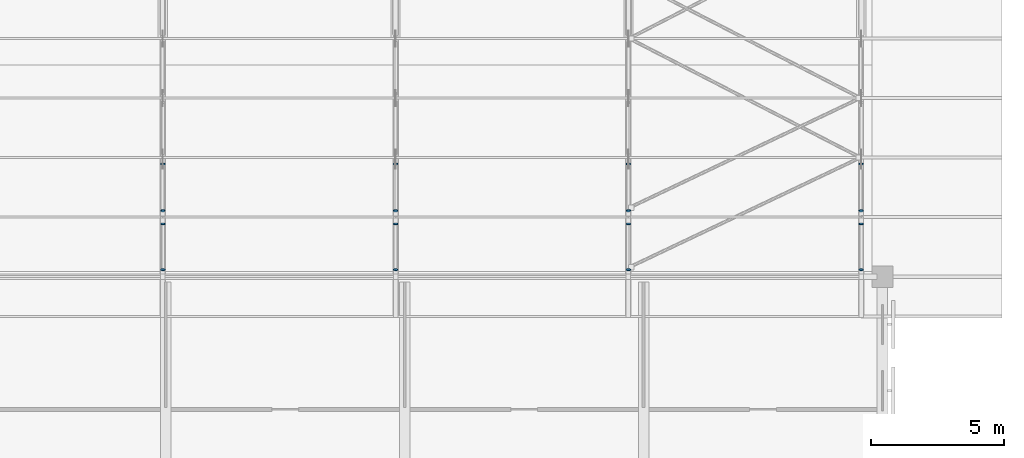
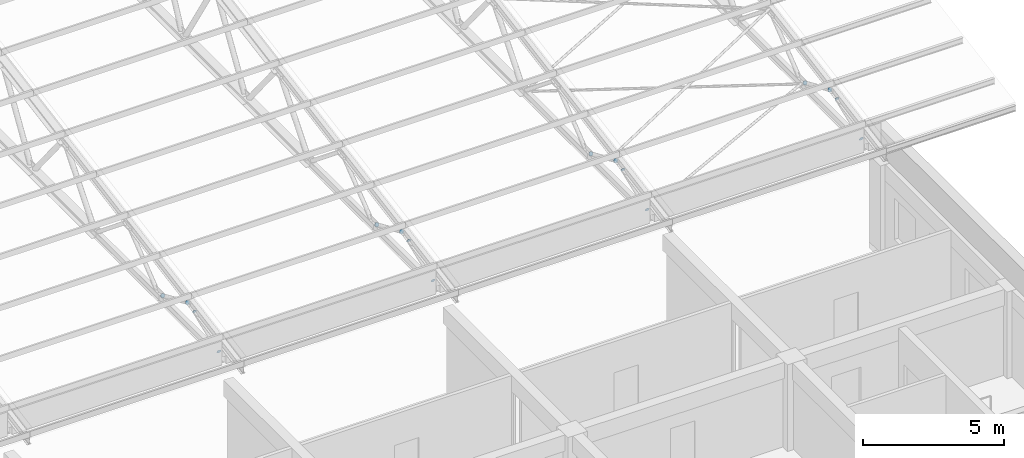
# One storey, part 103 of 185: 16 plates.
"""IFC4 building model written with IfcOpenShell, lengths in metres."""

from ifc_helpers import new_model, si_unit, direction, frame, origin, origin_2d, place, context, subcontext, project, spatial, circle, extrude, material, material_profile, profile_set, type_object, element, save


model = new_model("IFC4")

# Units and contexts
model_context = context("Model", 3, precision=1e-05, world=origin(), true_north=direction((0.0, 1.0)))
body_context = subcontext(model_context, "Body", "Model", "MODEL_VIEW")
ifc_project = project(units=[si_unit("LENGTHUNIT", "METRE"), si_unit("AREAUNIT", "SQUARE_METRE"), si_unit("VOLUMEUNIT", "CUBIC_METRE"), si_unit("PLANEANGLEUNIT", "RADIAN"), si_unit("MASSUNIT", "GRAM", prefix="KILO")], contexts=[model_context])

# Site, building, storey
site_placement = place(None, origin())
site = spatial("IfcSite", under=ifc_project, at=site_placement, CompositionType="ELEMENT")
building_placement = place(site_placement, origin())
building = spatial("IfcBuilding", under=site, at=building_placement, Name="Opaline Strait Convention Centre", CompositionType="ELEMENT")
storey_placement = place(building_placement, frame((0.0, 0.0, 6.0)))
storey = spatial("IfcBuildingStorey", under=building, at=storey_placement, Name="L01", CompositionType="ELEMENT", Elevation=6.0)

# Plates
ifc_material = material(Name="Steel Q355B", Category="steel")
ifc_material_profile = material_profile(ifc_material, circle(Radius=0.083984375, at=origin_2d()), Name="D168")
ifc_profile_set = profile_set([ifc_material_profile], Name="Steel Q355B")
plate_type = type_object("IfcPlateType", Name="Truss web end plate 168 x 12", PredefinedType="SHEET", material=ifc_profile_set)
for number, where, z_axis, x_axis, name in (
    (1, (323.8857421875, 27.2548828125, 4.678955078125), (0.0, 0.931242779706, 0.364399348581), (-1.0, 0.0, 0.0), "BWP1 web end plate line 5 member 1.1"),
    (2, (323.8857421875, 28.977783203125, 5.364501953125), (0.0, 0.931242779706, 0.364399348581), (-1.0, 0.0, 0.0), "BWP1 web end plate line 5 member 1.2"),
    (3, (323.8857421875, 31.25048828125, 4.678955078125), (0.0, -0.91381154862, 0.406138466053), (1.0, 0.0, 0.0), "BWP1 web end plate line 5 member 2.1"),
    (4, (323.8857421875, 29.49169921875, 5.450927734375), (0.0, -0.91381154862, 0.406138466053), (1.0, 0.0, 0.0), "BWP1 web end plate line 5 member 2.2"),
    (5, (332.656982421875, 27.2548828125, 4.678955078125), (0.0, 0.931242779706, 0.364399348581), (-1.0, 0.0, 0.0), "BWP1 web end plate line 6 member 1.1"),
    (6, (332.656982421875, 28.977783203125, 5.364501953125), (0.0, 0.931242779706, 0.364399348581), (-1.0, 0.0, 0.0), "BWP1 web end plate line 6 member 1.2"),
    (7, (332.656982421875, 31.25048828125, 4.678955078125), (0.0, -0.91381154862, 0.406138466053), (1.0, 0.0, 0.0), "BWP1 web end plate line 6 member 2.1"),
    (8, (332.656982421875, 29.49169921875, 5.450927734375), (0.0, -0.91381154862, 0.406138466053), (1.0, 0.0, 0.0), "BWP1 web end plate line 6 member 2.2"),
    (9, (341.4287109375, 27.2548828125, 4.678955078125), (0.0, 0.931242779706, 0.364399348581), (-1.0, 0.0, 0.0), "BWP1 web end plate line 7 member 1.1"),
    (10, (341.4287109375, 28.977783203125, 5.364501953125), (0.0, 0.931242779706, 0.364399348581), (-1.0, 0.0, 0.0), "BWP1 web end plate line 7 member 1.2"),
    (11, (341.4287109375, 31.25048828125, 4.678955078125), (0.0, -0.91381154862, 0.406138466053), (1.0, 0.0, 0.0), "BWP1 web end plate line 7 member 2.1"),
    (12, (341.4287109375, 29.49169921875, 5.450927734375), (0.0, -0.91381154862, 0.406138466053), (1.0, 0.0, 0.0), "BWP1 web end plate line 7 member 2.2"),
    (13, (350.199951171875, 27.2548828125, 4.678955078125), (0.0, 0.931242779706, 0.364399348581), (-1.0, 0.0, 0.0), "BWP1 web end plate line 8 member 1.1"),
    (14, (350.199951171875, 28.977783203125, 5.364501953125), (0.0, 0.931242779706, 0.364399348581), (-1.0, 0.0, 0.0), "BWP1 web end plate line 8 member 1.2"),
    (15, (350.199951171875, 31.25048828125, 4.678955078125), (0.0, -0.91381154862, 0.406138466053), (1.0, 0.0, 0.0), "BWP1 web end plate line 8 member 2.1"),
    (16, (350.199951171875, 29.49169921875, 5.450927734375), (0.0, -0.91381154862, 0.406138466053), (1.0, 0.0, 0.0), "BWP1 web end plate line 8 member 2.2"),
):
    element("IfcPlate", number, at=place(storey_placement, frame(where, z_axis=z_axis, x_axis=x_axis)), inside=storey, type_object=plate_type, Name=name, PredefinedType="SHEET", context=body_context, shape_type="SweptSolid", body=[
        extrude(circle(Radius=0.083984375, at=origin_2d()), origin(), (0.0, 0.0, 1.0), 0.011962890625),
    ])

save(model, "model.ifc")
